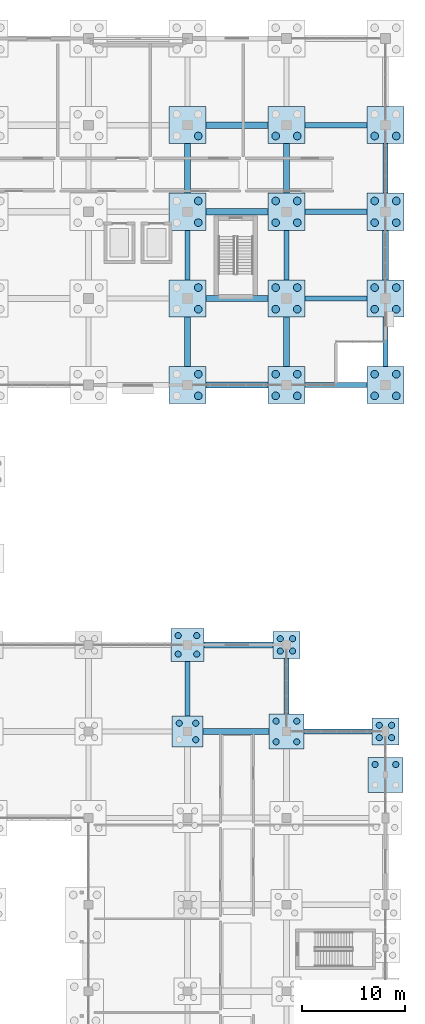
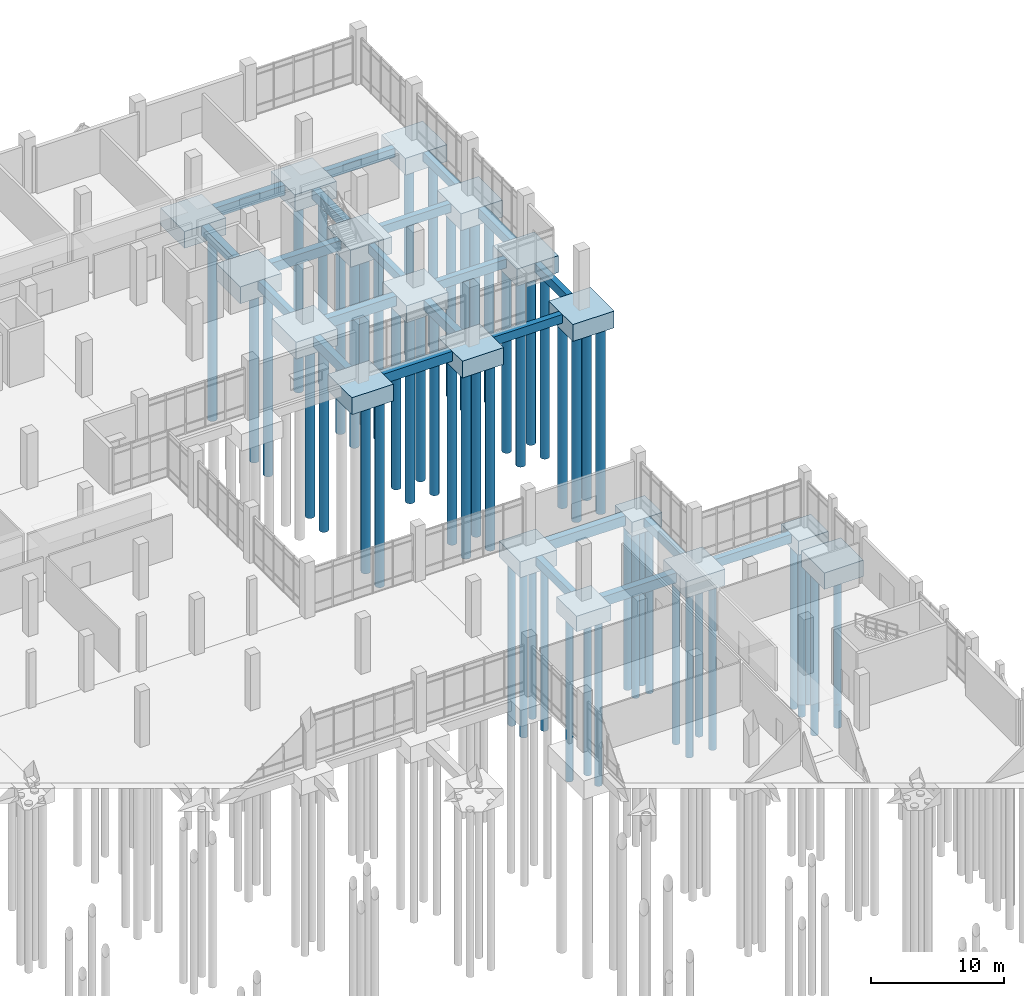
# One storey, part 17 of 136: 56 piles, 40 footings.
"""IFC4 building model written with IfcOpenShell, lengths in metres."""

import ifcopenshell
import ifcopenshell.guid

model = None  # the IFC model being written
_history = None  # IfcOwnerHistory: only IFC2X3 demands one
_inside = {}  # id of a spatial element -> (the spatial element, [elements in it])
_under = {}  # id of a project, library or spatial element -> (it, [spatial elements below it])
_declared = {}  # id of a project -> (the project, [libraries it declares])
_typed = {}  # id of a type object -> (the type object, [elements of that type])
_made_of = {}  # id of a material, layer set ... -> (it, [elements and type objects made of it])


def new_model(schema):
    """Start an empty IFC model of exactly this schema.

    Asked for "IFC4X3", IfcOpenShell would pick the latest addendum, in which some entities
    have other attributes; the version numbers below select the first issue.
    IFC2X3 requires an IfcOwnerHistory on every rooted entity: one is made here for all.
    """
    global model, _history
    if schema == "IFC4X3":
        model = ifcopenshell.file(schema_version=(4, 3, 0, 0))
    else:
        model = ifcopenshell.file(schema=schema)
    _inside.clear()
    _under.clear()
    _declared.clear()
    _typed.clear()
    _made_of.clear()
    _history = None
    if model.schema == "IFC2X3":
        org = make("IfcOrganization", Name="unknown")
        user = make(
            "IfcPersonAndOrganization",
            ThePerson=make("IfcPerson", FamilyName="unknown"),
            TheOrganization=org,
        )
        app = make(
            "IfcApplication",
            ApplicationDeveloper=org,
            Version="unknown",
            ApplicationFullName="unknown",
            ApplicationIdentifier="unknown",
        )
        _history = make(
            "IfcOwnerHistory",
            OwningUser=user,
            OwningApplication=app,
            ChangeAction="ADDED",
            CreationDate=0,
        )
    return model


def make(cls, **values):
    """One entity of the class cls with the attributes given. An attribute that is None is left unset."""
    return model.create_entity(
        cls, **{name: value for name, value in values.items() if value is not None}
    )


def rooted(cls, **values):
    """An entity with a GlobalId (a new one), such as an element, a storey or a relation."""
    return make(cls, GlobalId=ifcopenshell.guid.new(), OwnerHistory=_history, **values)


def si_unit(unit_type, name, prefix=None):
    """IfcSIUnit, for example si_unit("LENGTHUNIT", "METRE", prefix="MILLI")."""
    return make("IfcSIUnit", UnitType=unit_type, Prefix=prefix, Name=name)


def assignment(units):
    """IfcUnitAssignment: the units of a project."""
    return None if units is None else make("IfcUnitAssignment", Units=units)


def point(xyz):
    """IfcCartesianPoint."""
    return None if xyz is None else make("IfcCartesianPoint", Coordinates=xyz)


def direction(xyz):
    """IfcDirection."""
    return None if xyz is None else make("IfcDirection", DirectionRatios=xyz)


def frame(location, z_axis=None, x_axis=None):
    """IfcAxis2Placement3D, a coordinate frame: its origin and axes. An axis left out is left unset."""
    return make(
        "IfcAxis2Placement3D",
        Location=point(location),
        Axis=direction(z_axis),
        RefDirection=direction(x_axis),
    )


def frame_2d(location, x_axis=None):
    """IfcAxis2Placement2D, a coordinate frame in the plane: its origin and x axis."""
    return make(
        "IfcAxis2Placement2D", Location=point(location), RefDirection=direction(x_axis)
    )


def origin():
    """The frame at (0, 0, 0) with its axes left unset."""
    return frame((0.0, 0.0, 0.0))


def origin_2d():
    """The frame at (0, 0) in the plane with its x axis left unset."""
    return frame_2d((0.0, 0.0))


def place(relative_to, where):
    """IfcLocalPlacement: puts the frame where relative to a parent placement (None: the world)."""
    return make(
        "IfcLocalPlacement", PlacementRelTo=relative_to, RelativePlacement=where
    )


def context(
    kind, dimensions, precision=None, world=None, true_north=None, identifier=None
):
    """IfcGeometricRepresentationContext, for example the 3D "Model" context."""
    return make(
        "IfcGeometricRepresentationContext",
        ContextIdentifier=identifier,
        ContextType=kind,
        CoordinateSpaceDimension=dimensions,
        Precision=precision,
        WorldCoordinateSystem=world,
        TrueNorth=true_north,
    )


def subcontext(parent, identifier, kind, view, scale=None):
    """IfcGeometricRepresentationSubContext, for example "Body" below "Model"."""
    return make(
        "IfcGeometricRepresentationSubContext",
        ContextIdentifier=identifier,
        ContextType=kind,
        ParentContext=parent,
        TargetScale=scale,
        TargetView=view,
    )


def project(units=None, contexts=None):
    """IfcProject with its units and contexts."""
    return rooted(
        "IfcProject",
        Name="project",
        RepresentationContexts=contexts,
        UnitsInContext=assignment(units),
    )


def spatial(cls, under=None, at=None, **own):
    """A site, building, storey or space (cls), placed at a placement, below another one or the project."""
    s = rooted(cls, ObjectPlacement=at, **own)
    if under is not None:
        _under.setdefault(under.id(), (under, []))[1].append(s)
    return s


def profile(cls, at=None, kind="AREA", **sizes):
    """A parametric profile (cls). Its sizes go by their IFC names, for example OverallWidth=200.0."""
    return make(cls, ProfileType=kind, Position=at, **sizes)


def rectangle(**sizes):
    """IfcRectangleProfileDef."""
    return profile("IfcRectangleProfileDef", **sizes)


def circle(**sizes):
    """IfcCircleProfileDef."""
    return profile("IfcCircleProfileDef", **sizes)


def extrude(swept, where, along, depth):
    """IfcExtrudedAreaSolid: the profile swept, set in the frame where, extruded along a direction by depth."""
    return make(
        "IfcExtrudedAreaSolid",
        SweptArea=swept,
        Position=where,
        ExtrudedDirection=direction(along),
        Depth=depth,
    )


def shape(context_of_items, identifier, shape_type, items):
    """IfcShapeRepresentation: the items that make up one representation, for example the "Body"."""
    return make(
        "IfcShapeRepresentation",
        ContextOfItems=context_of_items,
        RepresentationIdentifier=identifier,
        RepresentationType=shape_type,
        Items=items,
    )


def material(Name=None, Category=None):
    """IfcMaterial."""
    return make("IfcMaterial", Name=Name, Category=Category)


def material_profile(
    of_material, cross_section, Name=None, Category=None, Priority=None
):
    """IfcMaterialProfile: a cross section and its material."""
    return make(
        "IfcMaterialProfile",
        Name=Name,
        Material=of_material,
        Profile=cross_section,
        Priority=Priority,
        Category=Category,
    )


def profile_set(profiles, Name=None, composite=None):
    """IfcMaterialProfileSet."""
    return make(
        "IfcMaterialProfileSet",
        Name=Name,
        MaterialProfiles=profiles,
        CompositeProfile=composite,
    )


def made_of(thing, what):
    """Note that an element or type object is made of a material, layer set ...; save() writes the relation."""
    if what is not None:
        _made_of.setdefault(what.id(), (what, []))[1].append(thing)
    return thing


def type_object(cls, material=None, **own):
    """A type object (cls), such as IfcWallType, which elements share."""
    return made_of(rooted(cls, **own), material)


def element(
    cls,
    number,
    at=None,
    inside=None,
    cuts=None,
    type_object=None,
    material=None,
    context=None,
    identifier="Body",
    shape_type=None,
    held_by="IfcProductDefinitionShape",
    body=None,
    shapes=None,
    **own,
):
    """One element of the class cls, such as IfcWall. Its Tag is "e" and its number.

    at: its placement. inside: the storey or other place that contains it. cuts: it is an
    opening in that element (IfcRelVoidsElement). A single representation is given by context,
    identifier, shape_type and body (its items); several are given by shapes. held_by: the class
    of the entity that holds the representations. save() writes the other relations.
    """
    e = rooted(cls, Tag="e%d" % number, ObjectPlacement=at, **own)
    if body is not None:
        shapes = [shape(context, identifier, shape_type, body)]
    if shapes is not None:
        e.Representation = make(held_by, Representations=shapes)
    if inside is not None:
        _inside.setdefault(inside.id(), (inside, []))[1].append(e)
    if cuts is not None:
        rooted(
            "IfcRelVoidsElement", RelatingBuildingElement=cuts, RelatedOpeningElement=e
        )
    if type_object is not None:
        _typed.setdefault(type_object.id(), (type_object, []))[1].append(e)
    return made_of(e, material)


def aggregate(whole, parts):
    """IfcRelAggregates: a whole, such as a stair, and the parts it consists of."""
    return rooted("IfcRelAggregates", RelatingObject=whole, RelatedObjects=parts)


def save(model, path):
    """Write the relations noted so far, then the file.

    IfcRelAggregates (storeys below a building ...), IfcRelContainedInSpatialStructure (elements
    in a storey), IfcRelDefinesByType, IfcRelAssociatesMaterial and IfcRelDeclares: one each for
    every whole, place, type object, material and project.
    """
    for whole, parts in _under.values():
        aggregate(whole, parts)
    for where, things in _inside.values():
        rooted(
            "IfcRelContainedInSpatialStructure",
            RelatedElements=things,
            RelatingStructure=where,
        )
    for kind, things in _typed.values():
        rooted("IfcRelDefinesByType", RelatedObjects=things, RelatingType=kind)
    for what, things in _made_of.values():
        rooted("IfcRelAssociatesMaterial", RelatedObjects=things, RelatingMaterial=what)
    for by, libraries in _declared.values():
        rooted("IfcRelDeclares", RelatingContext=by, RelatedDefinitions=libraries)
    model.write(path)


model = new_model("IFC4")

# Units and contexts
model_context = context("Model", 3, precision=1e-05, world=origin(), true_north=direction((0.0, 1.0)))
body_context = subcontext(model_context, "Body", "Model", "MODEL_VIEW")
ifc_project = project(units=[si_unit("LENGTHUNIT", "METRE"), si_unit("AREAUNIT", "SQUARE_METRE"), si_unit("VOLUMEUNIT", "CUBIC_METRE"), si_unit("PLANEANGLEUNIT", "RADIAN"), si_unit("MASSUNIT", "GRAM", prefix="KILO")], contexts=[model_context])

# Site, building, storey
site_placement = place(None, origin())
site = spatial("IfcSite", under=ifc_project, at=site_placement, CompositionType="ELEMENT")
building_placement = place(site_placement, origin())
building = spatial("IfcBuilding", under=site, at=building_placement, Name="Oolite Switchyard Hospital", CompositionType="ELEMENT")
storey_placement = place(building_placement, origin())
storey = spatial("IfcBuildingStorey", under=building, at=storey_placement, Name="L00", CompositionType="ELEMENT", Elevation=0.0)

# Footings
ifc_material = material(Name="Concrete C40/50", Category="concrete")
footing_type_1 = type_object("IfcFootingType", Name="FTG-GB500X800", PredefinedType="FOOTING_BEAM", material=ifc_material)
footing_1_placement = place(storey_placement, frame((206.60009765625, 67.199951171875, -1.14990234375), z_axis=(0.0, 0.0, 1.0), x_axis=(1.0, 0.0, 0.0)))
element("IfcFooting", 1, at=footing_1_placement, inside=storey, type_object=footing_type_1, Name="L00 Grade Beam 126", PredefinedType="FOOTING_BEAM", context=body_context, shape_type="SweptSolid", body=[
    extrude(rectangle(XDim=6.60009765625, YDim=0.5, at=origin_2d()), origin(), (0.0, 0.0, 1.0), 0.800048828125),
])
for number, where, z_axis, x_axis, name in (
    (2, (206.39990234375, 100.800048828125, -1.14990234375), (0.0, 0.0, 1.0), (1.0, 0.0, 0.0), "L00 Grade Beam 196"),
    (3, (206.39990234375, 109.199951171875, -1.14990234375), (0.0, 0.0, 1.0), (1.0, 0.0, 0.0), "L00 Grade Beam 218"),
    (4, (206.39990234375, 117.60009765625, -1.14990234375), (0.0, 0.0, 1.0), (1.0, 0.0, 0.0), "L00 Grade Beam 234"),
    (5, (206.39990234375, 126.0, -1.14990234375), (0.0, 0.0, 1.0), (1.0, 0.0, 0.0), "L00 Grade Beam 250"),
):
    element("IfcFooting", number, at=place(storey_placement, frame(where, z_axis=z_axis, x_axis=x_axis)), inside=storey, type_object=footing_type_1, Name=name, PredefinedType="FOOTING_BEAM", context=body_context, shape_type="SweptSolid", body=[
        extrude(rectangle(XDim=6.0, YDim=0.5, at=origin_2d()), origin(), (0.0, 0.0, 1.0), 0.800048828125),
    ])
footing_2_placement = place(storey_placement, frame((192.0, 71.35009765625, -1.14990234375), z_axis=(0.0, 0.0, 1.0), x_axis=(0.0, 1.0, 0.0)))
element("IfcFooting", 6, at=footing_2_placement, inside=storey, type_object=footing_type_1, Name="L00 Grade Beam 501", PredefinedType="FOOTING_BEAM", context=body_context, shape_type="SweptSolid", body=[
    extrude(rectangle(XDim=5.300048828125, YDim=0.5, at=origin_2d()), origin(), (0.0, 0.0, 1.0), 0.800048828125),
])
footing_3_placement = place(storey_placement, frame((192.0, 113.39990234375, -1.14990234375), z_axis=(0.0, 0.0, 1.0), x_axis=(0.0, 1.0, 0.0)))
element("IfcFooting", 7, at=footing_3_placement, inside=storey, type_object=footing_type_1, Name="L00 Grade Beam 503", PredefinedType="FOOTING_BEAM", context=body_context, shape_type="SweptSolid", body=[
    extrude(rectangle(XDim=4.800048828125, YDim=0.5, at=origin_2d()), origin(), (0.0, 0.0, 1.0), 0.800048828125),
])
footing_4_placement = place(storey_placement, frame((201.60009765625, 71.60009765625, -1.14990234375), z_axis=(0.0, 0.0, 1.0), x_axis=(0.0, 1.0, 0.0)))
element("IfcFooting", 8, at=footing_4_placement, inside=storey, type_object=footing_type_1, Name="L00 Grade Beam 513", PredefinedType="FOOTING_BEAM", context=body_context, shape_type="SweptSolid", body=[
    extrude(rectangle(XDim=5.39990234375, YDim=0.5, at=origin_2d()), origin(), (0.0, 0.0, 1.0), 0.800048828125),
])
for number, where, z_axis, x_axis, name in (
    (9, (201.60009765625, 113.39990234375, -1.14990234375), (0.0, 0.0, 1.0), (0.0, 1.0, 0.0), "L00 Grade Beam 515"),
    (10, (211.199951171875, 105.0, -1.14990234375), (0.0, 0.0, 1.0), (0.0, 1.0, 0.0), "L00 Grade Beam 523"),
    (11, (211.199951171875, 121.800048828125, -1.14990234375), (0.0, 0.0, 1.0), (0.0, 1.0, 0.0), "L00 Grade Beam 525"),
):
    element("IfcFooting", number, at=place(storey_placement, frame(where, z_axis=z_axis, x_axis=x_axis)), inside=storey, type_object=footing_type_1, Name=name, PredefinedType="FOOTING_BEAM", context=body_context, shape_type="SweptSolid", body=[
        extrude(rectangle(XDim=4.800048828125, YDim=0.5, at=origin_2d()), origin(), (0.0, 0.0, 1.0), 0.800048828125),
    ])
footing_type_2 = type_object("IfcFootingType", Name="FTG-GB600X900", PredefinedType="FOOTING_BEAM", material=ifc_material)
footing_5_placement = place(storey_placement, frame((196.699951171875, 67.199951171875, -1.25), z_axis=(0.0, 0.0, 1.0), x_axis=(1.0, 0.0, 0.0)))
element("IfcFooting", 12, at=footing_5_placement, inside=storey, type_object=footing_type_2, Name="L00 Grade Beam 125", PredefinedType="FOOTING_BEAM", context=body_context, shape_type="SweptSolid", body=[
    extrude(rectangle(XDim=6.39990234375, YDim=0.60009765625, at=origin_2d()), origin(), (0.0, 0.0, 1.0), 0.89990234375),
])
footing_6_placement = place(storey_placement, frame((196.949951171875, 75.60009765625, -1.25), z_axis=(0.0, 0.0, 1.0), x_axis=(1.0, 0.0, 0.0)))
element("IfcFooting", 13, at=footing_6_placement, inside=storey, type_object=footing_type_2, Name="L00 Grade Beam 141", PredefinedType="FOOTING_BEAM", context=body_context, shape_type="SweptSolid", body=[
    extrude(rectangle(XDim=6.699951171875, YDim=0.60009765625, at=origin_2d()), origin(), (0.0, 0.0, 1.0), 0.89990234375),
])
for number, where, z_axis, x_axis, name in (
    (14, (196.800048828125, 100.800048828125, -1.25), (0.0, 0.0, 1.0), (1.0, 0.0, 0.0), "L00 Grade Beam 195"),
    (15, (196.800048828125, 109.199951171875, -1.25), (0.0, 0.0, 1.0), (1.0, 0.0, 0.0), "L00 Grade Beam 217"),
    (16, (196.800048828125, 117.60009765625, -1.25), (0.0, 0.0, 1.0), (1.0, 0.0, 0.0), "L00 Grade Beam 233"),
    (17, (196.800048828125, 126.0, -1.25), (0.0, 0.0, 1.0), (1.0, 0.0, 0.0), "L00 Grade Beam 249"),
):
    element("IfcFooting", number, at=place(storey_placement, frame(where, z_axis=z_axis, x_axis=x_axis)), inside=storey, type_object=footing_type_2, Name=name, PredefinedType="FOOTING_BEAM", context=body_context, shape_type="SweptSolid", body=[
        extrude(rectangle(XDim=6.0, YDim=0.60009765625, at=origin_2d()), origin(), (0.0, 0.0, 1.0), 0.89990234375),
    ])
for number, where, z_axis, x_axis, name in (
    (18, (192.0, 105.0, -1.25), (0.0, 0.0, 1.0), (0.0, 1.0, 0.0), "L00 Grade Beam 502"),
    (19, (192.0, 121.800048828125, -1.25), (0.0, 0.0, 1.0), (0.0, 1.0, 0.0), "L00 Grade Beam 504"),
    (20, (201.60009765625, 105.0, -1.25), (0.0, 0.0, 1.0), (0.0, 1.0, 0.0), "L00 Grade Beam 514"),
    (21, (201.60009765625, 121.800048828125, -1.25), (0.0, 0.0, 1.0), (0.0, 1.0, 0.0), "L00 Grade Beam 516"),
    (22, (211.199951171875, 113.39990234375, -1.25), (0.0, 0.0, 1.0), (0.0, 1.0, 0.0), "L00 Grade Beam 524"),
):
    element("IfcFooting", number, at=place(storey_placement, frame(where, z_axis=z_axis, x_axis=x_axis)), inside=storey, type_object=footing_type_2, Name=name, PredefinedType="FOOTING_BEAM", context=body_context, shape_type="SweptSolid", body=[
        extrude(rectangle(XDim=4.800048828125, YDim=0.60009765625, at=origin_2d()), origin(), (0.0, 0.0, 1.0), 0.89990234375),
    ])
footing_type_3 = type_object("IfcFootingType", Name="FTG-PC24", PredefinedType="PILE_CAP", material=ifc_material)
for number, where, z_axis, x_axis, name in (
    (23, (201.60009765625, 75.60009765625, -1.64990234375), (0.0, 0.0, 1.0), (1.0, 0.0, 0.0), "L00 Multi-Pile Cap 305"),
    (24, (211.199951171875, 67.199951171875, -1.64990234375), (0.0, 0.0, 1.0), (1.0, 0.0, 0.0), "L00 Multi-Pile Cap 323"),
):
    element("IfcFooting", number, at=place(storey_placement, frame(where, z_axis=z_axis, x_axis=x_axis)), inside=storey, type_object=footing_type_3, Name=name, PredefinedType="PILE_CAP", context=body_context, shape_type="SweptSolid", body=[
        extrude(rectangle(XDim=2.60009765625, YDim=2.60009765625, at=origin_2d()), origin(), (0.0, 0.0, 1.0), 1.300048828125),
    ])
footing_type_4 = type_object("IfcFootingType", Name="FTG-PC30", PredefinedType="PILE_CAP", material=ifc_material)
footing_7_placement = place(storey_placement, frame((192.0, 67.199951171875, -1.77001953125), z_axis=(0.0, 0.0, 1.0), x_axis=(1.0, 0.0, 0.0)))
element("IfcFooting", 25, at=footing_7_placement, inside=storey, type_object=footing_type_4, Name="L00 Multi-Pile Cap 290", PredefinedType="PILE_CAP", context=body_context, shape_type="SweptSolid", body=[
    extrude(rectangle(XDim=3.0, YDim=3.0, at=origin_2d()), origin(), (0.0, 0.0, 1.0), 1.419921875),
])
footing_type_5 = type_object("IfcFootingType", Name="FTG-PC32", PredefinedType="PILE_CAP", material=ifc_material)
footing_8_placement = place(storey_placement, frame((192.0, 75.60009765625, -1.7998046875), z_axis=(0.0, 0.0, 1.0), x_axis=(1.0, 0.0, 0.0)))
element("IfcFooting", 26, at=footing_8_placement, inside=storey, type_object=footing_type_5, Name="L00 Multi-Pile Cap 291", PredefinedType="PILE_CAP", context=body_context, shape_type="SweptSolid", body=[
    extrude(rectangle(XDim=3.199951171875, YDim=3.199951171875, at=origin_2d()), origin(), (0.0, 0.0, 1.0), 1.449951171875),
])
footing_type_6 = type_object("IfcFootingType", Name="FTG-PC34", PredefinedType="PILE_CAP", material=ifc_material)
for number, where, z_axis, x_axis, name in (
    (27, (201.60009765625, 67.199951171875, -1.85009765625), (0.0, 0.0, 1.0), (1.0, 0.0, 0.0), "L00 Multi-Pile Cap 304"),
    (28, (211.199951171875, 63.0, -1.85009765625), (0.0, 0.0, 1.0), (1.0, 0.0, 0.0), "L00 Multi-Pile Cap 322"),
):
    element("IfcFooting", number, at=place(storey_placement, frame(where, z_axis=z_axis, x_axis=x_axis)), inside=storey, type_object=footing_type_6, Name=name, PredefinedType="PILE_CAP", context=body_context, shape_type="SweptSolid", body=[
        extrude(rectangle(XDim=3.39990234375, YDim=3.39990234375, at=origin_2d()), origin(), (0.0, 0.0, 1.0), 1.5),
    ])
footing_type_7 = type_object("IfcFootingType", Name="FTG-PC36", PredefinedType="PILE_CAP", material=ifc_material)
for number, where, z_axis, x_axis, name in (
    (29, (192.0, 100.800048828125, -1.89990234375), (0.0, 0.0, 1.0), (1.0, 0.0, 0.0), "L00 Multi-Pile Cap 292"),
    (30, (192.0, 109.199951171875, -1.89990234375), (0.0, 0.0, 1.0), (1.0, 0.0, 0.0), "L00 Multi-Pile Cap 293"),
    (31, (192.0, 117.60009765625, -1.89990234375), (0.0, 0.0, 1.0), (1.0, 0.0, 0.0), "L00 Multi-Pile Cap 294"),
    (32, (192.0, 126.0, -1.89990234375), (0.0, 0.0, 1.0), (1.0, 0.0, 0.0), "L00 Multi-Pile Cap 295"),
    (33, (201.60009765625, 100.800048828125, -1.89990234375), (0.0, 0.0, 1.0), (1.0, 0.0, 0.0), "L00 Multi-Pile Cap 306"),
    (34, (201.60009765625, 109.199951171875, -1.89990234375), (0.0, 0.0, 1.0), (1.0, 0.0, 0.0), "L00 Multi-Pile Cap 307"),
    (35, (201.60009765625, 117.60009765625, -1.89990234375), (0.0, 0.0, 1.0), (1.0, 0.0, 0.0), "L00 Multi-Pile Cap 308"),
    (36, (201.60009765625, 126.0, -1.89990234375), (0.0, 0.0, 1.0), (1.0, 0.0, 0.0), "L00 Multi-Pile Cap 309"),
    (37, (211.199951171875, 100.800048828125, -1.89990234375), (0.0, 0.0, 1.0), (1.0, 0.0, 0.0), "L00 Multi-Pile Cap 324"),
    (38, (211.199951171875, 109.199951171875, -1.89990234375), (0.0, 0.0, 1.0), (1.0, 0.0, 0.0), "L00 Multi-Pile Cap 325"),
    (39, (211.199951171875, 117.60009765625, -1.89990234375), (0.0, 0.0, 1.0), (1.0, 0.0, 0.0), "L00 Multi-Pile Cap 326"),
    (40, (211.199951171875, 126.0, -1.89990234375), (0.0, 0.0, 1.0), (1.0, 0.0, 0.0), "L00 Multi-Pile Cap 327"),
):
    element("IfcFooting", number, at=place(storey_placement, frame(where, z_axis=z_axis, x_axis=x_axis)), inside=storey, type_object=footing_type_7, Name=name, PredefinedType="PILE_CAP", context=body_context, shape_type="SweptSolid", body=[
        extrude(rectangle(XDim=3.60009765625, YDim=3.60009765625, at=origin_2d()), origin(), (0.0, 0.0, 1.0), 1.550048828125),
    ])

# Piles
ifc_material_profile_1 = material_profile(ifc_material, circle(Radius=0.300048828125, at=origin_2d()), Name="PILE600")
ifc_profile_set_1 = profile_set([ifc_material_profile_1], Name="Concrete C40/50")
pile_type_1 = type_object("IfcPileType", Name="PILE-ACIP600", PredefinedType="BORED", material=ifc_profile_set_1)
for number, where, z_axis, x_axis, name in (
    (41, (192.800048828125, 66.39990234375, -1.6201171875), (0.0, 0.0, -1.0), (1.0, 0.0, 0.0), "Augercast Pile 1174"),
    (42, (191.199951171875, 68.0, -1.6201171875), (0.0, 0.0, -1.0), (1.0, 0.0, 0.0), "Augercast Pile 1175"),
    (43, (192.800048828125, 68.0, -1.6201171875), (0.0, 0.0, -1.0), (1.0, 0.0, 0.0), "Augercast Pile 1176"),
):
    element("IfcPile", number, at=place(storey_placement, frame(where, z_axis=z_axis, x_axis=x_axis)), inside=storey, type_object=pile_type_1, Name=name, PredefinedType="BORED", context=body_context, shape_type="SweptSolid", body=[
        extrude(circle(Radius=0.300048828125, at=origin_2d()), origin(), (0.0, 0.0, 1.0), 15.3798828125),
    ])
for number, where, z_axis, x_axis, name in (
    (44, (191.10009765625, 74.699951171875, -1.64990234375), (0.0, 0.0, -1.0), (1.0, 0.0, 0.0), "Augercast Pile 1177"),
    (45, (192.89990234375, 74.699951171875, -1.64990234375), (0.0, 0.0, -1.0), (1.0, 0.0, 0.0), "Augercast Pile 1178"),
    (46, (191.10009765625, 76.5, -1.64990234375), (0.0, 0.0, -1.0), (1.0, 0.0, 0.0), "Augercast Pile 1179"),
    (47, (192.89990234375, 76.5, -1.64990234375), (0.0, 0.0, -1.0), (1.0, 0.0, 0.0), "Augercast Pile 1180"),
):
    element("IfcPile", number, at=place(storey_placement, frame(where, z_axis=z_axis, x_axis=x_axis)), inside=storey, type_object=pile_type_1, Name=name, PredefinedType="BORED", context=body_context, shape_type="SweptSolid", body=[
        extrude(circle(Radius=0.300048828125, at=origin_2d()), origin(), (0.0, 0.0, 1.0), 15.35009765625),
    ])
for number, where, z_axis, x_axis, name in (
    (48, (200.60009765625, 66.199951171875, -1.699951171875), (0.0, 0.0, -1.0), (1.0, 0.0, 0.0), "Augercast Pile 1229"),
    (49, (202.60009765625, 66.199951171875, -1.699951171875), (0.0, 0.0, -1.0), (1.0, 0.0, 0.0), "Augercast Pile 1230"),
    (50, (200.60009765625, 68.199951171875, -1.699951171875), (0.0, 0.0, -1.0), (1.0, 0.0, 0.0), "Augercast Pile 1231"),
    (51, (202.60009765625, 68.199951171875, -1.699951171875), (0.0, 0.0, -1.0), (1.0, 0.0, 0.0), "Augercast Pile 1232"),
):
    element("IfcPile", number, at=place(storey_placement, frame(where, z_axis=z_axis, x_axis=x_axis)), inside=storey, type_object=pile_type_1, Name=name, PredefinedType="BORED", context=body_context, shape_type="SweptSolid", body=[
        extrude(circle(Radius=0.300048828125, at=origin_2d()), origin(), (0.0, 0.0, 1.0), 15.300048828125),
    ])
for number, where, z_axis, x_axis, name in (
    (52, (201.0, 75.0, -1.5), (0.0, 0.0, -1.0), (1.0, 0.0, 0.0), "Augercast Pile 1233"),
    (53, (202.199951171875, 75.0, -1.5), (0.0, 0.0, -1.0), (1.0, 0.0, 0.0), "Augercast Pile 1234"),
    (54, (201.0, 76.199951171875, -1.5), (0.0, 0.0, -1.0), (1.0, 0.0, 0.0), "Augercast Pile 1235"),
    (55, (202.199951171875, 76.199951171875, -1.5), (0.0, 0.0, -1.0), (1.0, 0.0, 0.0), "Augercast Pile 1236"),
):
    element("IfcPile", number, at=place(storey_placement, frame(where, z_axis=z_axis, x_axis=x_axis)), inside=storey, type_object=pile_type_1, Name=name, PredefinedType="BORED", context=body_context, shape_type="SweptSolid", body=[
        extrude(circle(Radius=0.300048828125, at=origin_2d()), origin(), (0.0, 0.0, 1.0), 15.5),
    ])
for number, where, z_axis, x_axis, name in (
    (56, (210.199951171875, 64.0, -1.699951171875), (0.0, 0.0, -1.0), (1.0, 0.0, 0.0), "Augercast Pile 1303"),
    (57, (212.199951171875, 64.0, -1.699951171875), (0.0, 0.0, -1.0), (1.0, 0.0, 0.0), "Augercast Pile 1304"),
):
    element("IfcPile", number, at=place(storey_placement, frame(where, z_axis=z_axis, x_axis=x_axis)), inside=storey, type_object=pile_type_1, Name=name, PredefinedType="BORED", context=body_context, shape_type="SweptSolid", body=[
        extrude(circle(Radius=0.300048828125, at=origin_2d()), origin(), (0.0, 0.0, 1.0), 15.300048828125),
    ])
for number, where, z_axis, x_axis, name in (
    (58, (210.60009765625, 66.60009765625, -1.5), (0.0, 0.0, -1.0), (1.0, 0.0, 0.0), "Augercast Pile 1305"),
    (59, (211.800048828125, 66.60009765625, -1.5), (0.0, 0.0, -1.0), (1.0, 0.0, 0.0), "Augercast Pile 1306"),
    (60, (210.60009765625, 67.800048828125, -1.5), (0.0, 0.0, -1.0), (1.0, 0.0, 0.0), "Augercast Pile 1307"),
    (61, (211.800048828125, 67.800048828125, -1.5), (0.0, 0.0, -1.0), (1.0, 0.0, 0.0), "Augercast Pile 1308"),
):
    element("IfcPile", number, at=place(storey_placement, frame(where, z_axis=z_axis, x_axis=x_axis)), inside=storey, type_object=pile_type_1, Name=name, PredefinedType="BORED", context=body_context, shape_type="SweptSolid", body=[
        extrude(circle(Radius=0.300048828125, at=origin_2d()), origin(), (0.0, 0.0, 1.0), 15.5),
    ])
ifc_material_profile_2 = material_profile(ifc_material, circle(Radius=0.375, at=origin_2d()), Name="PILE750")
ifc_profile_set_2 = profile_set([ifc_material_profile_2], Name="Concrete C40/50")
pile_type_2 = type_object("IfcPileType", Name="PILE-ACIP750", PredefinedType="BORED", material=ifc_profile_set_2)
for number, where, z_axis, x_axis, name in (
    (62, (193.050048828125, 99.75, -1.75), (0.0, 0.0, -1.0), (1.0, 0.0, 0.0), "Augercast Pile 1182"),
    (63, (193.050048828125, 101.85009765625, -1.75), (0.0, 0.0, -1.0), (1.0, 0.0, 0.0), "Augercast Pile 1184"),
    (64, (193.050048828125, 108.14990234375, -1.75), (0.0, 0.0, -1.0), (1.0, 0.0, 0.0), "Augercast Pile 1186"),
    (65, (193.050048828125, 110.25, -1.75), (0.0, 0.0, -1.0), (1.0, 0.0, 0.0), "Augercast Pile 1188"),
    (66, (193.050048828125, 116.550048828125, -1.75), (0.0, 0.0, -1.0), (1.0, 0.0, 0.0), "Augercast Pile 1190"),
    (67, (193.050048828125, 118.64990234375, -1.75), (0.0, 0.0, -1.0), (1.0, 0.0, 0.0), "Augercast Pile 1192"),
    (68, (193.050048828125, 124.949951171875, -1.75), (0.0, 0.0, -1.0), (1.0, 0.0, 0.0), "Augercast Pile 1194"),
    (69, (200.550048828125, 99.75, -1.75), (0.0, 0.0, -1.0), (1.0, 0.0, 0.0), "Augercast Pile 1237"),
    (70, (202.64990234375, 99.75, -1.75), (0.0, 0.0, -1.0), (1.0, 0.0, 0.0), "Augercast Pile 1238"),
    (71, (200.550048828125, 101.85009765625, -1.75), (0.0, 0.0, -1.0), (1.0, 0.0, 0.0), "Augercast Pile 1239"),
    (72, (202.64990234375, 101.85009765625, -1.75), (0.0, 0.0, -1.0), (1.0, 0.0, 0.0), "Augercast Pile 1240"),
    (73, (200.550048828125, 108.14990234375, -1.75), (0.0, 0.0, -1.0), (1.0, 0.0, 0.0), "Augercast Pile 1241"),
    (74, (202.64990234375, 108.14990234375, -1.75), (0.0, 0.0, -1.0), (1.0, 0.0, 0.0), "Augercast Pile 1242"),
    (75, (200.550048828125, 110.25, -1.75), (0.0, 0.0, -1.0), (1.0, 0.0, 0.0), "Augercast Pile 1243"),
    (76, (202.64990234375, 110.25, -1.75), (0.0, 0.0, -1.0), (1.0, 0.0, 0.0), "Augercast Pile 1244"),
    (77, (200.550048828125, 116.550048828125, -1.75), (0.0, 0.0, -1.0), (1.0, 0.0, 0.0), "Augercast Pile 1245"),
    (78, (202.64990234375, 116.550048828125, -1.75), (0.0, 0.0, -1.0), (1.0, 0.0, 0.0), "Augercast Pile 1246"),
    (79, (200.550048828125, 118.64990234375, -1.75), (0.0, 0.0, -1.0), (1.0, 0.0, 0.0), "Augercast Pile 1247"),
    (80, (202.64990234375, 118.64990234375, -1.75), (0.0, 0.0, -1.0), (1.0, 0.0, 0.0), "Augercast Pile 1248"),
    (81, (200.550048828125, 124.949951171875, -1.75), (0.0, 0.0, -1.0), (1.0, 0.0, 0.0), "Augercast Pile 1249"),
    (82, (202.64990234375, 124.949951171875, -1.75), (0.0, 0.0, -1.0), (1.0, 0.0, 0.0), "Augercast Pile 1250"),
    (83, (210.14990234375, 99.75, -1.75), (0.0, 0.0, -1.0), (1.0, 0.0, 0.0), "Augercast Pile 1309"),
    (84, (212.25, 99.75, -1.75), (0.0, 0.0, -1.0), (1.0, 0.0, 0.0), "Augercast Pile 1310"),
    (85, (210.14990234375, 101.85009765625, -1.75), (0.0, 0.0, -1.0), (1.0, 0.0, 0.0), "Augercast Pile 1311"),
    (86, (212.25, 101.85009765625, -1.75), (0.0, 0.0, -1.0), (1.0, 0.0, 0.0), "Augercast Pile 1312"),
    (87, (210.14990234375, 108.14990234375, -1.75), (0.0, 0.0, -1.0), (1.0, 0.0, 0.0), "Augercast Pile 1313"),
    (88, (212.25, 108.14990234375, -1.75), (0.0, 0.0, -1.0), (1.0, 0.0, 0.0), "Augercast Pile 1314"),
    (89, (210.14990234375, 110.25, -1.75), (0.0, 0.0, -1.0), (1.0, 0.0, 0.0), "Augercast Pile 1315"),
    (90, (212.25, 110.25, -1.75), (0.0, 0.0, -1.0), (1.0, 0.0, 0.0), "Augercast Pile 1316"),
    (91, (210.14990234375, 116.550048828125, -1.75), (0.0, 0.0, -1.0), (1.0, 0.0, 0.0), "Augercast Pile 1317"),
    (92, (212.25, 116.550048828125, -1.75), (0.0, 0.0, -1.0), (1.0, 0.0, 0.0), "Augercast Pile 1318"),
    (93, (210.14990234375, 118.64990234375, -1.75), (0.0, 0.0, -1.0), (1.0, 0.0, 0.0), "Augercast Pile 1319"),
    (94, (212.25, 118.64990234375, -1.75), (0.0, 0.0, -1.0), (1.0, 0.0, 0.0), "Augercast Pile 1320"),
    (95, (210.14990234375, 124.949951171875, -1.75), (0.0, 0.0, -1.0), (1.0, 0.0, 0.0), "Augercast Pile 1321"),
    (96, (212.25, 124.949951171875, -1.75), (0.0, 0.0, -1.0), (1.0, 0.0, 0.0), "Augercast Pile 1322"),
):
    element("IfcPile", number, at=place(storey_placement, frame(where, z_axis=z_axis, x_axis=x_axis)), inside=storey, type_object=pile_type_2, Name=name, PredefinedType="BORED", context=body_context, shape_type="SweptSolid", body=[
        extrude(circle(Radius=0.375, at=origin_2d()), origin(), (0.0, 0.0, 1.0), 17.25),
    ])

save(model, "model.ifc")
